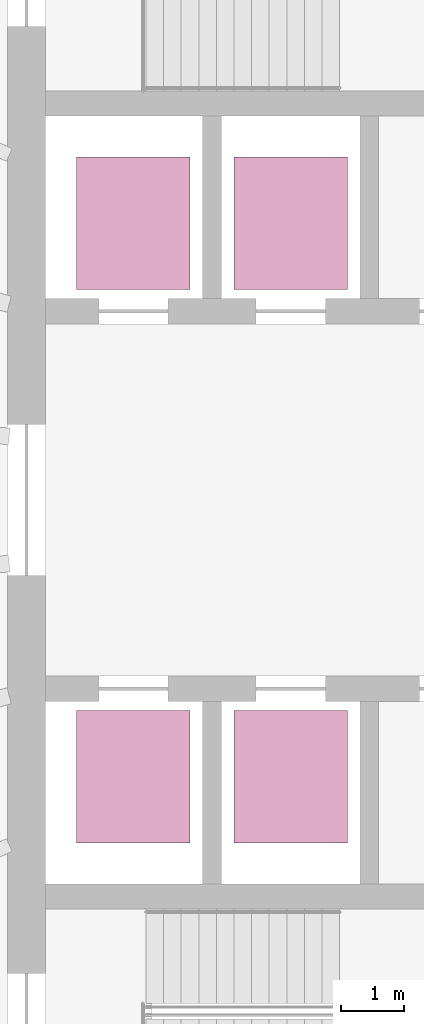
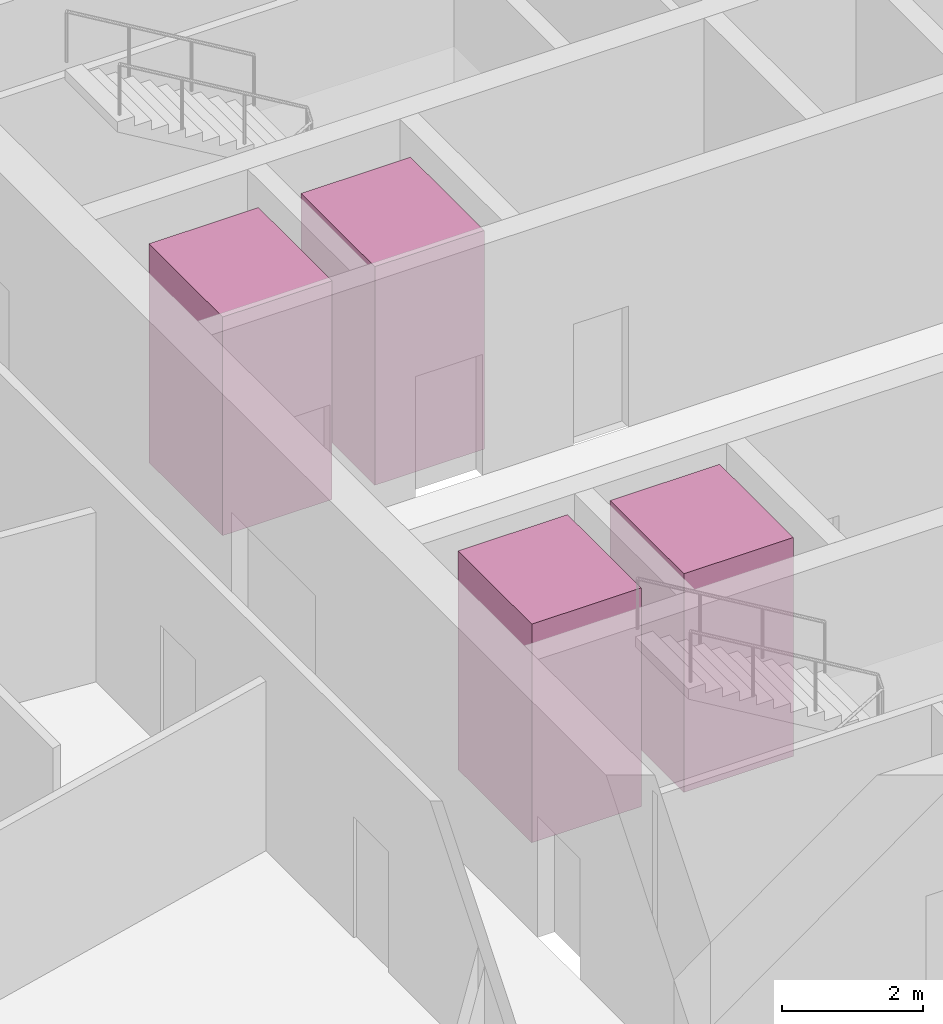
# One storey, part 10 of 10: 4 transport elements.
"""IFC4 building model written with IfcOpenShell, lengths in metres."""

from ifc_helpers import new_model, si_unit, direction, frame, origin, origin_2d, place, context, subcontext, project, spatial, rectangle, extrude, material, type_object, element, save


model = new_model("IFC4")

# Units and contexts
model_context = context("Model", 3, precision=1e-05, world=origin(), true_north=direction((0.0, 1.0)))
body_context = subcontext(model_context, "Body", "Model", "MODEL_VIEW")
ifc_project = project(units=[si_unit("LENGTHUNIT", "METRE"), si_unit("AREAUNIT", "SQUARE_METRE"), si_unit("VOLUMEUNIT", "CUBIC_METRE"), si_unit("PLANEANGLEUNIT", "RADIAN"), si_unit("MASSUNIT", "GRAM", prefix="KILO")], contexts=[model_context])

# Site, building, storey
site_placement = place(None, origin())
site = spatial("IfcSite", under=ifc_project, at=site_placement, CompositionType="ELEMENT")
building_placement = place(site_placement, origin())
building = spatial("IfcBuilding", under=site, at=building_placement, Name="Halqa Exchange Tower", CompositionType="ELEMENT")
storey_placement = place(building_placement, frame((0.0, 0.0, 312.300048828125)))
storey = spatial("IfcBuildingStorey", under=building, at=storey_placement, Name="L73", CompositionType="ELEMENT", Elevation=312.300048828125)

# Transport elements
ifc_material = material(Name="Stainless steel", Category="steel")
transport_element_type = type_object("IfcTransportElementType", Name="High-rise passenger lift 1800 x 2100", PredefinedType="ELEVATOR", material=ifc_material)
for number, where, z_axis, x_axis, name in (
    (1, (-10.0, 4.39990234375, 0.0), (0.0, 0.0, 1.0), (1.0, 0.0, 0.0), "High-rise passenger lift HR1"),
    (2, (-7.5, 4.39990234375, 0.0), (0.0, 0.0, 1.0), (1.0, 0.0, 0.0), "High-rise passenger lift HR2"),
    (3, (-10.0, -4.39990234375, 0.0), (0.0, 0.0, 1.0), (1.0, 0.0, 0.0), "High-rise passenger lift HR3"),
    (4, (-7.5, -4.39990234375, 0.0), (0.0, 0.0, 1.0), (1.0, 0.0, 0.0), "High-rise passenger lift HR4"),
):
    element("IfcTransportElement", number, at=place(storey_placement, frame(where, z_axis=z_axis, x_axis=x_axis)), inside=storey, type_object=transport_element_type, Name=name, PredefinedType="ELEVATOR", context=body_context, shape_type="SweptSolid", body=[
        extrude(rectangle(XDim=1.800048828125, YDim=2.10009765625, at=origin_2d()), origin(), (0.0, 0.0, 1.0), 3.800048828125),
    ])

save(model, "model.ifc")
